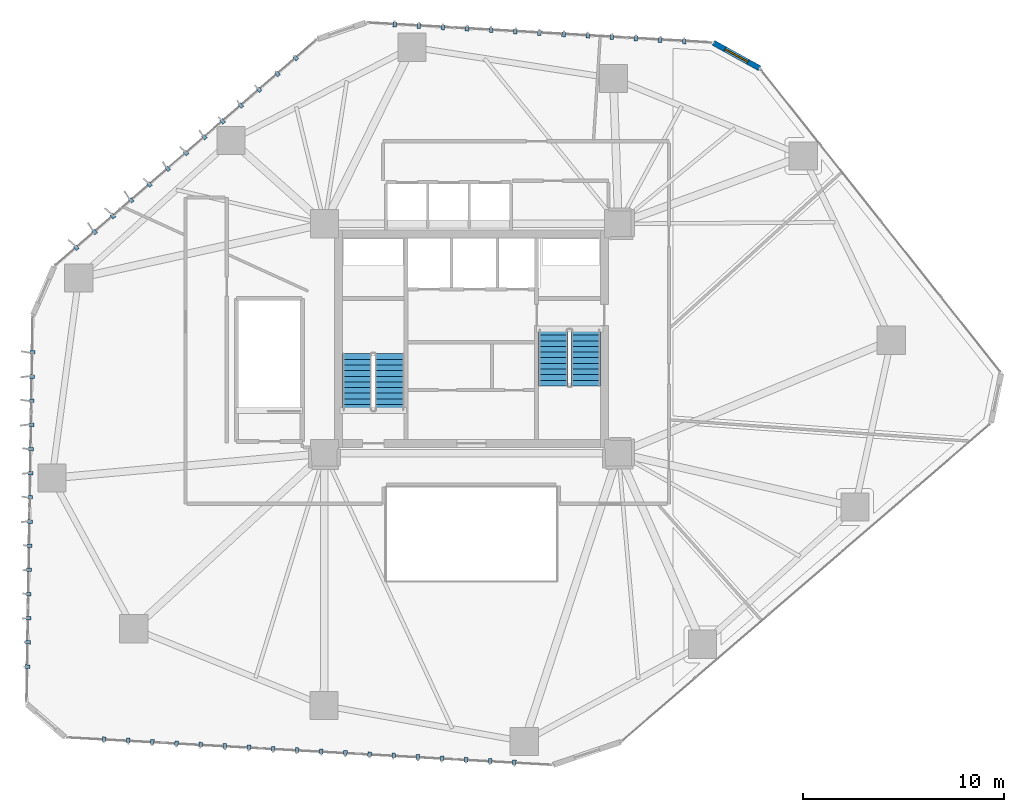
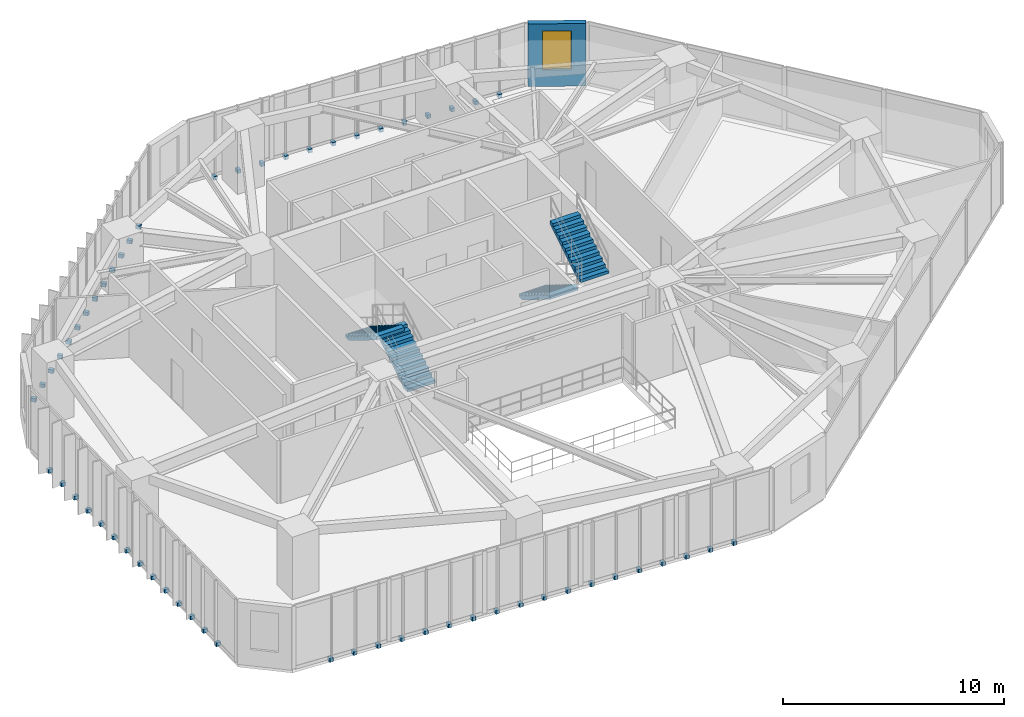
# One storey, part 21 of 24: 58 discrete accessories, 4 stair flights, 1 wall, 1 window, 1 opening, 2 elements without a shape of their own.
"""IFC4 building model written with IfcOpenShell, lengths in metres."""

from ifc_helpers import new_model, si_unit, direction, frame, frame_2d, origin, origin_2d, place, context, subcontext, project, spatial, polyline, rectangle, outline, extrude, source, transform, mapped, material, layer, layer_set, type_object, type_shapes, element, fill, aggregate, save


model = new_model("IFC4")

# Units and contexts
model_context = context("Model", 3, precision=1e-05, world=origin(), true_north=direction((0.0, 1.0)))
body_context = subcontext(model_context, "Body", "Model", "MODEL_VIEW")
ifc_project = project(units=[si_unit("LENGTHUNIT", "METRE"), si_unit("AREAUNIT", "SQUARE_METRE"), si_unit("VOLUMEUNIT", "CUBIC_METRE"), si_unit("PLANEANGLEUNIT", "RADIAN"), si_unit("MASSUNIT", "GRAM", prefix="KILO")], contexts=[model_context])

# Site, building, storey
site_placement = place(None, origin())
site = spatial("IfcSite", under=ifc_project, at=site_placement, CompositionType="ELEMENT")
building_placement = place(site_placement, origin())
building = spatial("IfcBuilding", under=site, at=building_placement, Name="Talar Marvaseh", CompositionType="ELEMENT")
storey_placement = place(building_placement, frame((0.0, 0.0, 81.0)))
storey = spatial("IfcBuildingStorey", under=building, at=storey_placement, Name="L20", CompositionType="ELEMENT", Elevation=81.0)

# Wall, opening, window
ifc_material_1 = material(Name="Precast concrete C45/55", Category="concrete")
ifc_layer_1 = layer(ifc_material_1, 0.27001953125)
ifc_layer_set_1 = layer_set([ifc_layer_1], Name="Precast concrete C45/55")
wall_type = type_object("IfcWallType", Name="Chamfered Hexagonal Corner Pier Wall Z1 270", PredefinedType="SOLIDWALL", material=ifc_layer_set_1)
wall_placement = place(storey_placement, frame((38.01318359375, 45.8876953125, 0.0), z_axis=(0.0, 0.0, 1.0), x_axis=(0.875663186337, -0.482922337539, 0.0)))
wall = element("IfcWall", 1, at=wall_placement, inside=storey, type_object=wall_type, Name="L20 Chamfered Corner Limestone Pier 4", PredefinedType="SOLIDWALL", context=body_context, shape_type="SweptSolid", body=[
    extrude(rectangle(XDim=2.623291015625, YDim=0.27001953125, at=frame_2d((1.3115234375, 0.0))), origin(), (0.0, 0.0, 1.0), 3.449951171875),
])
opening_placement = place(wall_placement, frame((0.662109375, 0.0, 0.89990234375)))
opening = element("IfcOpeningElement", 2, at=opening_placement, cuts=wall, Name="Opening WN-CHM13", PredefinedType="OPENING", context=body_context, shape_type="SweptSolid", body=[
    extrude(rectangle(XDim=1.300048828125, YDim=2.14990234375, at=frame_2d((0.64990234375, 1.074951171875))), frame((0.0, 0.14501953125, 0.0), z_axis=(0.0, -1.0, 0.0), x_axis=(1.0, 0.0, 0.0)), (0.0, 0.0, 1.0), 0.2900390625),
])
ifc_material_2 = material(Name="Laminated Low-E Solar Glass", Category="glass")
window_type = type_object("IfcWindowType", Name="Zone 1 Chamfered Corner Slot Window 1300x2150", PartitioningType="SINGLE_PANEL", PredefinedType="WINDOW", material=ifc_material_2)
shared_shape_1 = source(origin(), body_context, "Body", "SweptSolid", [
    extrude(rectangle(XDim=1.300048828125, YDim=2.14990234375, at=frame_2d((0.64990234375, 1.074951171875))), frame((0.0, 0.030029296875, 0.0), z_axis=(0.0, -1.0, 0.0), x_axis=(1.0, 0.0, 0.0)), (0.0, 0.0, 1.0), 0.06005859375),
])
type_shapes(window_type, [shared_shape_1])
window_placement = place(opening_placement, origin())
window = element("IfcWindow", 3, at=window_placement, inside=storey, type_object=window_type, Name="L20 Chamfered Corner Slot Window", OverallHeight=2.14990234375, OverallWidth=1.300048828125, PartitioningType="SINGLE_PANEL", PredefinedType="WINDOW", context=body_context, shape_type="MappedRepresentation", body=[
    mapped(shared_shape_1, transform((0.0, 0.0, 0.0), x_axis=(1.0, 0.0, 0.0), y_axis=(0.0, 1.0, 0.0), z_axis=(0.0, 0.0, 1.0), scale=1.0)),
])
fill(opening, window)

# Stair, stair flights
ifc_material_3 = material(Name="Concrete C40/50", Category="concrete")
stair_type = type_object("IfcStairType", Name="Reinforced Concrete Half-Turn Exit Stair Type B", PredefinedType="HALF_TURN_STAIR", material=ifc_material_3)
stair_1_placement = place(storey_placement, origin())
stair_1 = element("IfcStair", 4, at=stair_1_placement, inside=storey, type_object=stair_type, Name="L20 Tower West Core Exit Stair", PredefinedType="HALF_TURN_STAIR")
ifc_layer_2 = layer(ifc_material_3, 0.159912109375)
ifc_layer_set_2 = layer_set([ifc_layer_2], Name="Concrete C40/50")
stair_flight_type = type_object("IfcStairFlightType", Name="Reinforced Concrete Straight Stair Flight 160", PredefinedType="STRAIGHT", material=ifc_layer_set_2)
stair_flight_1_placement = place(storey_placement, frame((21.93505859375, 27.64990234375, 0.0), z_axis=(0.0, 0.0, 1.0), x_axis=(0.0, 1.0, 0.0)))
stair_flight_1 = element("IfcStairFlight", 5, at=stair_flight_1_placement, type_object=stair_flight_type, Name="ST-1 flight 1", NumberOfRisers=11, NumberOfTreads=10, PredefinedType="STRAIGHT", RiserHeight=0.172727273, TreadLength=0.28, context=body_context, shape_type="SweptSolid", body=[
    extrude(outline(polyline([(0.0, 0.0), (0.0, 0.172607421875), (0.280029296875, 0.172607421875), (0.280029296875, 0.345458984375), (0.56005859375, 0.345458984375), (0.56005859375, 0.51806640625), (0.840087890625, 0.51806640625), (0.840087890625, 0.69091796875), (1.1201171875, 0.69091796875), (1.1201171875, 0.863525390625), (1.39990234375, 0.863525390625), (1.39990234375, 1.036376953125), (1.679931640625, 1.036376953125), (1.679931640625, 1.208984375), (1.9599609375, 1.208984375), (1.9599609375, 1.3818359375), (2.239990234375, 1.3818359375), (2.239990234375, 1.554443359375), (2.52001953125, 1.554443359375), (2.52001953125, 1.727294921875), (2.800048828125, 1.727294921875), (2.800048828125, 1.89990234375), (2.800048828125, 1.539306640625), (0.3046875, 0.0), (0.0, 0.0)])), frame((0.0, 0.72509765625, 0.0), z_axis=(0.0, -1.0, 0.0), x_axis=(1.0, 0.0, 0.0)), (0.0, 0.0, 1.0), 1.449951171875),
])
stair_flight_2_placement = place(storey_placement, frame((20.324951171875, 30.449951171875, 1.89990234375), z_axis=(0.0, 0.0, 1.0), x_axis=(0.0, -1.0, 0.0)))
stair_flight_2 = element("IfcStairFlight", 6, at=stair_flight_2_placement, type_object=stair_flight_type, Name="ST-1 flight 2", NumberOfRisers=11, NumberOfTreads=10, PredefinedType="STRAIGHT", RiserHeight=0.172727273, TreadLength=0.28, context=body_context, shape_type="SweptSolid", body=[
    extrude(outline(polyline([(0.0, 0.0), (0.0, 0.172607421875), (0.280029296875, 0.172607421875), (0.280029296875, 0.345458984375), (0.56005859375, 0.345458984375), (0.56005859375, 0.51806640625), (0.840087890625, 0.51806640625), (0.840087890625, 0.69091796875), (1.1201171875, 0.69091796875), (1.1201171875, 0.863525390625), (1.39990234375, 0.863525390625), (1.39990234375, 1.036376953125), (1.679931640625, 1.036376953125), (1.679931640625, 1.208984375), (1.9599609375, 1.208984375), (1.9599609375, 1.3818359375), (2.239990234375, 1.3818359375), (2.239990234375, 1.554443359375), (2.52001953125, 1.554443359375), (2.52001953125, 1.727294921875), (2.800048828125, 1.727294921875), (2.800048828125, 1.89990234375), (2.800048828125, 1.539306640625), (0.3046875, 0.0), (0.0, 0.0)])), frame((0.0, 0.72509765625, 0.0), z_axis=(0.0, -1.0, 0.0), x_axis=(1.0, 0.0, 0.0)), (0.0, 0.0, 1.0), 1.449951171875),
])
aggregate(stair_1, [stair_flight_1, stair_flight_2])

stair_2_placement = place(storey_placement, origin())
stair_2 = element("IfcStair", 7, at=stair_2_placement, inside=storey, type_object=stair_type, Name="L20 Tower East Core Exit Stair", PredefinedType="HALF_TURN_STAIR")
stair_flight_3_placement = place(storey_placement, frame((30.06494140625, 31.64990234375, 0.0), z_axis=(0.0, 0.0, 1.0), x_axis=(0.0, -1.0, 0.0)))
stair_flight_3 = element("IfcStairFlight", 8, at=stair_flight_3_placement, type_object=stair_flight_type, Name="ST-2 flight 1", NumberOfRisers=11, NumberOfTreads=10, PredefinedType="STRAIGHT", RiserHeight=0.172727273, TreadLength=0.28, context=body_context, shape_type="SweptSolid", body=[
    extrude(outline(polyline([(0.0, 0.0), (0.0, 0.172607421875), (0.280029296875, 0.172607421875), (0.280029296875, 0.345458984375), (0.56005859375, 0.345458984375), (0.56005859375, 0.51806640625), (0.840087890625, 0.51806640625), (0.840087890625, 0.69091796875), (1.1201171875, 0.69091796875), (1.1201171875, 0.863525390625), (1.39990234375, 0.863525390625), (1.39990234375, 1.036376953125), (1.679931640625, 1.036376953125), (1.679931640625, 1.208984375), (1.9599609375, 1.208984375), (1.9599609375, 1.3818359375), (2.239990234375, 1.3818359375), (2.239990234375, 1.554443359375), (2.52001953125, 1.554443359375), (2.52001953125, 1.727294921875), (2.800048828125, 1.727294921875), (2.800048828125, 1.89990234375), (2.800048828125, 1.539306640625), (0.3046875, 0.0), (0.0, 0.0)])), frame((0.0, 0.72509765625, 0.0), z_axis=(0.0, -1.0, 0.0), x_axis=(1.0, 0.0, 0.0)), (0.0, 0.0, 1.0), 1.449951171875),
])
stair_flight_4_placement = place(storey_placement, frame((31.675048828125, 28.85009765625, 1.89990234375), z_axis=(0.0, 0.0, 1.0), x_axis=(0.0, 1.0, 0.0)))
stair_flight_4 = element("IfcStairFlight", 9, at=stair_flight_4_placement, type_object=stair_flight_type, Name="ST-2 flight 2", NumberOfRisers=11, NumberOfTreads=10, PredefinedType="STRAIGHT", RiserHeight=0.172727273, TreadLength=0.28, context=body_context, shape_type="SweptSolid", body=[
    extrude(outline(polyline([(0.0, 0.0), (0.0, 0.172607421875), (0.280029296875, 0.172607421875), (0.280029296875, 0.345458984375), (0.56005859375, 0.345458984375), (0.56005859375, 0.51806640625), (0.840087890625, 0.51806640625), (0.840087890625, 0.69091796875), (1.1201171875, 0.69091796875), (1.1201171875, 0.863525390625), (1.39990234375, 0.863525390625), (1.39990234375, 1.036376953125), (1.679931640625, 1.036376953125), (1.679931640625, 1.208984375), (1.9599609375, 1.208984375), (1.9599609375, 1.3818359375), (2.239990234375, 1.3818359375), (2.239990234375, 1.554443359375), (2.52001953125, 1.554443359375), (2.52001953125, 1.727294921875), (2.800048828125, 1.727294921875), (2.800048828125, 1.89990234375), (2.800048828125, 1.539306640625), (0.3046875, 0.0), (0.0, 0.0)])), frame((0.0, 0.72509765625, 0.0), z_axis=(0.0, -1.0, 0.0), x_axis=(1.0, 0.0, 0.0)), (0.0, 0.0, 1.0), 1.449951171875),
])
aggregate(stair_2, [stair_flight_3, stair_flight_4])

# Discrete accessories
ifc_material_4 = material(Name="Stainless Steel Grade 316", Category="steel")
discrete_accessory_type = type_object("IfcDiscreteAccessoryType", Name="Stainless Slab-Edge Fin Mounting Bracket", PredefinedType="BRACKET", material=ifc_material_4)
shared_shape_2 = source(origin(), body_context, "Body", "SweptSolid", [
    extrude(rectangle(XDim=0.239990234375, YDim=0.179931640625, at=origin_2d()), origin(), (0.0, 0.0, 1.0), 0.199951171875),
])
type_shapes(discrete_accessory_type, [shared_shape_2])
for number, where, z_axis, x_axis, name in (
    (10, (3.964111328125, 14.9169921875, -0.18017578125), (0.0, 0.0, 1.0), (-0.999876632482, 0.015707317312, 0.0), "L20 Vertical Fin Slab-Edge Bracket"),
    (11, (3.983154296875, 16.11669921875, -0.18017578125), (0.0, 0.0, 1.0), (-0.999876632482, 0.015707317312, 0.0), "L20 Vertical Fin Slab-Edge Bracket"),
    (12, (4.002197265625, 17.316650390625, -0.18017578125), (0.0, 0.0, 1.0), (-0.999876632482, 0.015707317312, 0.0), "L20 Vertical Fin Slab-Edge Bracket"),
    (13, (4.02099609375, 18.5166015625, -0.18017578125), (0.0, 0.0, 1.0), (-0.999876632482, 0.015707317312, 0.0), "L20 Vertical Fin Slab-Edge Bracket"),
    (14, (4.039794921875, 19.71630859375, -0.18017578125), (0.0, 0.0, 1.0), (-0.999876632482, 0.015707317312, 0.0), "L20 Vertical Fin Slab-Edge Bracket"),
    (15, (4.058837890625, 20.916259765625, -0.18017578125), (0.0, 0.0, 1.0), (-0.999876632482, 0.015707317312, 0.0), "L20 Vertical Fin Slab-Edge Bracket"),
    (16, (4.077880859375, 22.115966796875, -0.18017578125), (0.0, 0.0, 1.0), (-0.999876632482, 0.015707317312, 0.0), "L20 Vertical Fin Slab-Edge Bracket"),
    (17, (4.0966796875, 23.31591796875, -0.18017578125), (0.0, 0.0, 1.0), (-0.999876632482, 0.015707317312, 0.0), "L20 Vertical Fin Slab-Edge Bracket"),
    (18, (4.115478515625, 24.515625, -0.18017578125), (0.0, 0.0, 1.0), (-0.999876632482, 0.015707317312, 0.0), "L20 Vertical Fin Slab-Edge Bracket"),
    (19, (4.134521484375, 25.715576171875, -0.18017578125), (0.0, 0.0, 1.0), (-0.999876632482, 0.015707317312, 0.0), "L20 Vertical Fin Slab-Edge Bracket"),
    (20, (4.153564453125, 26.915283203125, -0.18017578125), (0.0, 0.0, 1.0), (-0.999876632482, 0.015707317312, 0.0), "L20 Vertical Fin Slab-Edge Bracket"),
    (21, (4.17236328125, 28.115234375, -0.18017578125), (0.0, 0.0, 1.0), (-0.999876632482, 0.015707317312, 0.0), "L20 Vertical Fin Slab-Edge Bracket"),
    (22, (4.19140625, 29.315185546875, -0.18017578125), (0.0, 0.0, 1.0), (-0.999876632482, 0.015707317312, 0.0), "L20 Vertical Fin Slab-Edge Bracket"),
    (23, (4.210205078125, 30.514892578125, -0.18017578125), (0.0, 0.0, 1.0), (-0.999876632482, 0.015707317312, 0.0), "L20 Vertical Fin Slab-Edge Bracket"),
    (24, (6.3818359375, 35.711669921875, -0.18017578125), (0.0, 0.0, 1.0), (-0.653684805299, 0.756766922719, 0.0), "L20 Vertical Fin Slab-Edge Bracket"),
    (25, (7.289794921875, 36.49609375, -0.18017578125), (0.0, 0.0, 1.0), (-0.653684805299, 0.756766922719, 0.0), "L20 Vertical Fin Slab-Edge Bracket"),
    (26, (8.197998046875, 37.280517578125, -0.18017578125), (0.0, 0.0, 1.0), (-0.653684805299, 0.756766922719, 0.0), "L20 Vertical Fin Slab-Edge Bracket"),
    (27, (9.106201171875, 38.06494140625, -0.18017578125), (0.0, 0.0, 1.0), (-0.653684805299, 0.756766922719, 0.0), "L20 Vertical Fin Slab-Edge Bracket"),
    (28, (10.014404296875, 38.849365234375, -0.18017578125), (0.0, 0.0, 1.0), (-0.653684805299, 0.756766922719, 0.0), "L20 Vertical Fin Slab-Edge Bracket"),
    (29, (10.922607421875, 39.6337890625, -0.18017578125), (0.0, 0.0, 1.0), (-0.653684805299, 0.756766922719, 0.0), "L20 Vertical Fin Slab-Edge Bracket"),
    (30, (11.830810546875, 40.418212890625, -0.18017578125), (0.0, 0.0, 1.0), (-0.653684805299, 0.756766922719, 0.0), "L20 Vertical Fin Slab-Edge Bracket"),
    (31, (12.73876953125, 41.202392578125, -0.18017578125), (0.0, 0.0, 1.0), (-0.653684805299, 0.756766922719, 0.0), "L20 Vertical Fin Slab-Edge Bracket"),
    (32, (13.64697265625, 41.98681640625, -0.18017578125), (0.0, 0.0, 1.0), (-0.653684805299, 0.756766922719, 0.0), "L20 Vertical Fin Slab-Edge Bracket"),
    (33, (14.55517578125, 42.771240234375, -0.18017578125), (0.0, 0.0, 1.0), (-0.653684805299, 0.756766922719, 0.0), "L20 Vertical Fin Slab-Edge Bracket"),
    (34, (15.463134765625, 43.5556640625, -0.18017578125), (0.0, 0.0, 1.0), (-0.653684805299, 0.756766922719, 0.0), "L20 Vertical Fin Slab-Edge Bracket"),
    (35, (16.371337890625, 44.340087890625, -0.18017578125), (0.0, 0.0, 1.0), (-0.653684805299, 0.756766922719, 0.0), "L20 Vertical Fin Slab-Edge Bracket"),
    (36, (17.279541015625, 45.12451171875, -0.18017578125), (0.0, 0.0, 1.0), (-0.653684805299, 0.756766922719, 0.0), "L20 Vertical Fin Slab-Edge Bracket"),
    (37, (22.189453125, 46.791015625, -0.18017578125), (0.0, 0.0, 1.0), (0.057912510481, 0.998321662156, 0.0), "L20 Vertical Fin Slab-Edge Bracket"),
    (38, (23.387451171875, 46.7216796875, -0.18017578125), (0.0, 0.0, 1.0), (0.057912510481, 0.998321662156, 0.0), "L20 Vertical Fin Slab-Edge Bracket"),
    (39, (24.58544921875, 46.652099609375, -0.18017578125), (0.0, 0.0, 1.0), (0.057912510481, 0.998321662156, 0.0), "L20 Vertical Fin Slab-Edge Bracket"),
    (40, (25.783203125, 46.582763671875, -0.18017578125), (0.0, 0.0, 1.0), (0.057912510481, 0.998321662156, 0.0), "L20 Vertical Fin Slab-Edge Bracket"),
    (41, (26.981201171875, 46.51318359375, -0.18017578125), (0.0, 0.0, 1.0), (0.057912510481, 0.998321662156, 0.0), "L20 Vertical Fin Slab-Edge Bracket"),
    (42, (28.17919921875, 46.44384765625, -0.18017578125), (0.0, 0.0, 1.0), (0.057912510481, 0.998321662156, 0.0), "L20 Vertical Fin Slab-Edge Bracket"),
    (43, (29.377197265625, 46.374267578125, -0.18017578125), (0.0, 0.0, 1.0), (0.057912510481, 0.998321662156, 0.0), "L20 Vertical Fin Slab-Edge Bracket"),
    (44, (30.5751953125, 46.304931640625, -0.18017578125), (0.0, 0.0, 1.0), (0.057912510481, 0.998321662156, 0.0), "L20 Vertical Fin Slab-Edge Bracket"),
    (45, (31.773193359375, 46.2353515625, -0.18017578125), (0.0, 0.0, 1.0), (0.057912510481, 0.998321662156, 0.0), "L20 Vertical Fin Slab-Edge Bracket"),
    (46, (32.97119140625, 46.166015625, -0.18017578125), (0.0, 0.0, 1.0), (0.057912510481, 0.998321662156, 0.0), "L20 Vertical Fin Slab-Edge Bracket"),
    (47, (34.169189453125, 46.096435546875, -0.18017578125), (0.0, 0.0, 1.0), (0.057912510481, 0.998321662156, 0.0), "L20 Vertical Fin Slab-Edge Bracket"),
    (48, (35.3671875, 46.027099609375, -0.18017578125), (0.0, 0.0, 1.0), (0.057912510481, 0.998321662156, 0.0), "L20 Vertical Fin Slab-Edge Bracket"),
    (49, (36.565185546875, 45.95751953125, -0.18017578125), (0.0, 0.0, 1.0), (0.057912510481, 0.998321662156, 0.0), "L20 Vertical Fin Slab-Edge Bracket"),
    (50, (28.13037109375, 10.15771484375, -0.18017578125), (0.0, 0.0, 1.0), (-0.056518534482, -0.998401550109, 0.0), "L20 Vertical Fin Slab-Edge Bracket"),
    (51, (26.932373046875, 10.2255859375, -0.18017578125), (0.0, 0.0, 1.0), (-0.056518534482, -0.998401550109, 0.0), "L20 Vertical Fin Slab-Edge Bracket"),
    (52, (25.734130859375, 10.29345703125, -0.18017578125), (0.0, 0.0, 1.0), (-0.056518534482, -0.998401550109, 0.0), "L20 Vertical Fin Slab-Edge Bracket"),
    (53, (24.5361328125, 10.361328125, -0.18017578125), (0.0, 0.0, 1.0), (-0.056518534482, -0.998401550109, 0.0), "L20 Vertical Fin Slab-Edge Bracket"),
    (54, (23.338134765625, 10.42919921875, -0.18017578125), (0.0, 0.0, 1.0), (-0.056518534482, -0.998401550109, 0.0), "L20 Vertical Fin Slab-Edge Bracket"),
    (55, (22.139892578125, 10.4970703125, -0.18017578125), (0.0, 0.0, 1.0), (-0.056518534482, -0.998401550109, 0.0), "L20 Vertical Fin Slab-Edge Bracket"),
    (56, (20.94189453125, 10.56494140625, -0.18017578125), (0.0, 0.0, 1.0), (-0.056518534482, -0.998401550109, 0.0), "L20 Vertical Fin Slab-Edge Bracket"),
    (57, (19.743896484375, 10.6328125, -0.18017578125), (0.0, 0.0, 1.0), (-0.056518534482, -0.998401550109, 0.0), "L20 Vertical Fin Slab-Edge Bracket"),
    (58, (18.545654296875, 10.70068359375, -0.18017578125), (0.0, 0.0, 1.0), (-0.056518534482, -0.998401550109, 0.0), "L20 Vertical Fin Slab-Edge Bracket"),
    (59, (17.34765625, 10.768310546875, -0.18017578125), (0.0, 0.0, 1.0), (-0.056518534482, -0.998401550109, 0.0), "L20 Vertical Fin Slab-Edge Bracket"),
    (60, (16.149658203125, 10.836181640625, -0.18017578125), (0.0, 0.0, 1.0), (-0.056518534482, -0.998401550109, 0.0), "L20 Vertical Fin Slab-Edge Bracket"),
    (61, (14.951416015625, 10.904052734375, -0.18017578125), (0.0, 0.0, 1.0), (-0.056518534482, -0.998401550109, 0.0), "L20 Vertical Fin Slab-Edge Bracket"),
    (62, (13.75341796875, 10.971923828125, -0.18017578125), (0.0, 0.0, 1.0), (-0.056518534482, -0.998401550109, 0.0), "L20 Vertical Fin Slab-Edge Bracket"),
    (63, (12.555419921875, 11.039794921875, -0.18017578125), (0.0, 0.0, 1.0), (-0.056518534482, -0.998401550109, 0.0), "L20 Vertical Fin Slab-Edge Bracket"),
    (64, (11.357177734375, 11.107666015625, -0.18017578125), (0.0, 0.0, 1.0), (-0.056518534482, -0.998401550109, 0.0), "L20 Vertical Fin Slab-Edge Bracket"),
    (65, (10.1591796875, 11.175537109375, -0.18017578125), (0.0, 0.0, 1.0), (-0.056518534482, -0.998401550109, 0.0), "L20 Vertical Fin Slab-Edge Bracket"),
    (66, (8.961181640625, 11.243408203125, -0.18017578125), (0.0, 0.0, 1.0), (-0.056518534482, -0.998401550109, 0.0), "L20 Vertical Fin Slab-Edge Bracket"),
    (67, (7.762939453125, 11.311279296875, -0.18017578125), (0.0, 0.0, 1.0), (-0.056518534482, -0.998401550109, 0.0), "L20 Vertical Fin Slab-Edge Bracket"),
):
    element("IfcDiscreteAccessory", number, at=place(storey_placement, frame(where, z_axis=z_axis, x_axis=x_axis)), inside=storey, type_object=discrete_accessory_type, Name=name, PredefinedType="BRACKET", context=body_context, shape_type="MappedRepresentation", body=[
        mapped(shared_shape_2, transform((0.0, 0.0, 0.0), x_axis=(1.0, 0.0, 0.0), y_axis=(0.0, 1.0, 0.0), z_axis=(0.0, 0.0, 1.0), scale=1.0)),
    ])

save(model, "model.ifc")
